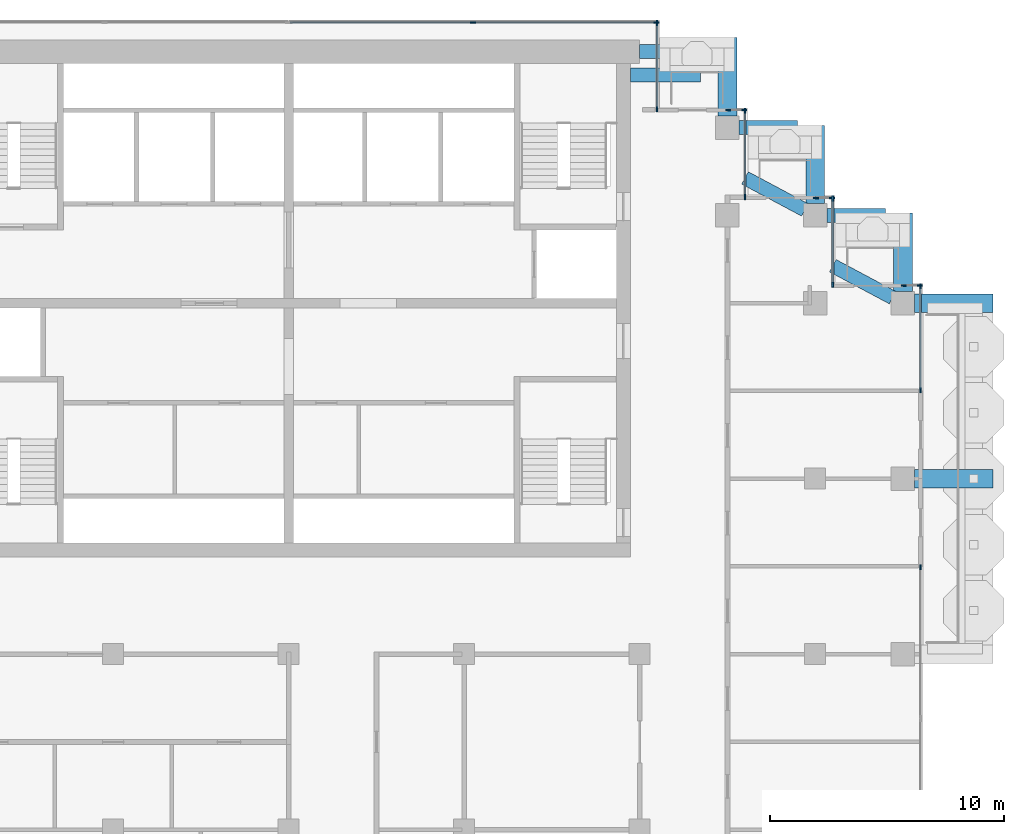
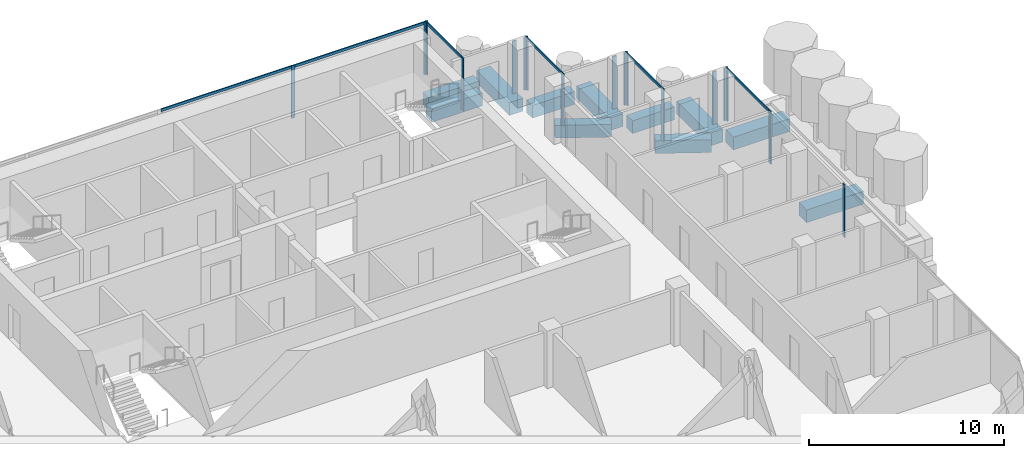
# One storey, part 6 of 19: 23 members, 11 beams, 9 elements without a shape of their own.
"""IFC4 building model written with IfcOpenShell, lengths in metres."""

from ifc_helpers import new_model, si_unit, direction, frame, origin, origin_2d, place, context, subcontext, project, spatial, rectangle, extrude, material, material_profile, profile_set, type_object, element, aggregate, save


model = new_model("IFC4")

# Units and contexts
model_context = context("Model", 3, precision=1e-05, world=origin(), true_north=direction((0.0, 1.0)))
body_context = subcontext(model_context, "Body", "Model", "MODEL_VIEW")
ifc_project = project(units=[si_unit("LENGTHUNIT", "METRE"), si_unit("AREAUNIT", "SQUARE_METRE"), si_unit("VOLUMEUNIT", "CUBIC_METRE"), si_unit("PLANEANGLEUNIT", "RADIAN"), si_unit("MASSUNIT", "GRAM", prefix="KILO")], contexts=[model_context])

# Site, building, storey
site_placement = place(None, origin())
site = spatial("IfcSite", under=ifc_project, at=site_placement, CompositionType="ELEMENT")
building_placement = place(site_placement, origin())
building = spatial("IfcBuilding", under=site, at=building_placement, Name="Pilkhan Gate Tower", CompositionType="ELEMENT")
storey_placement = place(building_placement, frame((0.0, 0.0, 224.699951171875)))
storey = spatial("IfcBuildingStorey", under=building, at=storey_placement, Name="L58", CompositionType="ELEMENT", Elevation=224.699951171875)

# Beams
ifc_material_1 = material(Name="Concrete C50/60", Category="concrete")
ifc_material_profile_1 = material_profile(ifc_material_1, rectangle(XDim=0.60009765625, YDim=0.800048828125, at=origin_2d()), Name="RC 600x800")
ifc_profile_set_1 = profile_set([ifc_material_profile_1], Name="Concrete C50/60")
beam_type_1 = type_object("IfcBeamType", Name="Cantilever beam CB1 RC 600x800 C50/60", PredefinedType="BEAM", material=ifc_profile_set_1)
for number, where, z_axis, x_axis, name in (
    (1, (90.0, 93.25, -0.699951171875), (1.0, 0.0, 0.0), (0.0, 1.0, 0.0), "Balcony beam NE.2 L58"),
    (2, (89.60009765625, 92.25, -0.699951171875), (1.0, 0.0, 0.0), (0.0, 1.0, 0.0), "Balcony beam NE.3 L58"),
):
    element("IfcBeam", number, at=place(storey_placement, frame(where, z_axis=z_axis, x_axis=x_axis)), inside=storey, type_object=beam_type_1, Name=name, PredefinedType="BEAM", context=body_context, shape_type="SweptSolid", body=[
        extrude(rectangle(XDim=0.60009765625, YDim=0.800048828125, at=origin_2d()), origin(), (0.0, 0.0, 1.0), 3.0),
    ])
beam_1_placement = place(storey_placement, frame((94.25, 90.0, -0.699951171875), z_axis=(1.0, 0.0, 0.0), x_axis=(0.0, 1.0, 0.0)))
element("IfcBeam", 3, at=beam_1_placement, inside=storey, type_object=beam_type_1, Name="Balcony beam NE1.2 L58", PredefinedType="BEAM", context=body_context, shape_type="SweptSolid", body=[
    extrude(rectangle(XDim=0.60009765625, YDim=0.800048828125, at=origin_2d()), origin(), (0.0, 0.0, 1.0), 2.5),
])
beam_2_placement = place(storey_placement, frame((97.058837890625, 86.4853515625, -0.699951171875), z_axis=(-0.882348280344, 0.470596974251, 0.0), x_axis=(-0.470596974251, -0.882348280344, 0.0)))
element("IfcBeam", 4, at=beam_2_placement, inside=storey, type_object=beam_type_1, Name="Balcony beam NE1.3 L58", PredefinedType="BEAM", context=body_context, shape_type="SweptSolid", body=[
    extrude(rectangle(XDim=0.60009765625, YDim=0.800048828125, at=origin_2d()), origin(), (0.0, 0.0, 1.0), 2.900146484375),
])
beam_3_placement = place(storey_placement, frame((98.0, 86.25, -0.699951171875), z_axis=(1.0, 0.0, 0.0), x_axis=(0.0, 1.0, 0.0)))
element("IfcBeam", 5, at=beam_3_placement, inside=storey, type_object=beam_type_1, Name="Balcony beam NE2.2 L58", PredefinedType="BEAM", context=body_context, shape_type="SweptSolid", body=[
    extrude(rectangle(XDim=0.60009765625, YDim=0.800048828125, at=origin_2d()), origin(), (0.0, 0.0, 1.0), 2.5),
])
beam_4_placement = place(storey_placement, frame((100.808837890625, 82.7353515625, -0.699951171875), z_axis=(-0.882348280344, 0.470596974251, 0.0), x_axis=(-0.470596974251, -0.882348280344, 0.0)))
element("IfcBeam", 6, at=beam_4_placement, inside=storey, type_object=beam_type_1, Name="Balcony beam NE2.3 L58", PredefinedType="BEAM", context=body_context, shape_type="SweptSolid", body=[
    extrude(rectangle(XDim=0.60009765625, YDim=0.800048828125, at=origin_2d()), origin(), (0.0, 0.0, 1.0), 2.900146484375),
])
ifc_material_profile_2 = material_profile(ifc_material_1, rectangle(XDim=0.800048828125, YDim=0.800048828125, at=origin_2d()), Name="RC 800x800")
ifc_profile_set_2 = profile_set([ifc_material_profile_2], Name="Concrete C50/60")
beam_type_2 = type_object("IfcBeamType", Name="Cantilever beam CB2 RC 800x800 C50/60", PredefinedType="BEAM", material=ifc_profile_set_2)
for number, where, z_axis, x_axis, name in (
    (7, (101.75, 75.0, -0.699951171875), (1.0, 0.0, 0.0), (0.0, 1.0, 0.0), "Balcony beam E.2 L58"),
    (8, (101.75, 82.5, -0.699951171875), (1.0, 0.0, 0.0), (0.0, 1.0, 0.0), "Balcony beam E.3 L58"),
    (9, (93.75, 90.5, -0.699951171875), (0.0, 1.0, 0.0), (-1.0, 0.0, 0.0), "Balcony beam NE.1 L58"),
    (10, (97.5, 86.75, -0.699951171875), (0.0, 1.0, 0.0), (-1.0, 0.0, 0.0), "Balcony beam NE1.1 L58"),
    (11, (101.25, 83.0, -0.699951171875), (0.0, 1.0, 0.0), (-1.0, 0.0, 0.0), "Balcony beam NE2.1 L58"),
):
    element("IfcBeam", number, at=place(storey_placement, frame(where, z_axis=z_axis, x_axis=x_axis)), inside=storey, type_object=beam_type_2, Name=name, PredefinedType="BEAM", context=body_context, shape_type="SweptSolid", body=[
        extrude(rectangle(XDim=0.800048828125, YDim=0.800048828125, at=origin_2d()), origin(), (0.0, 0.0, 1.0), 3.35009765625),
    ])

# Curtain wall, member
ifc_material_2 = material(Name="Pale anodised aluminium, clear low-iron double glazing", Category="aluminium")
curtain_wall_type = type_object("IfcCurtainWallType", Name="Office unitised curtain wall CW-O2", PredefinedType="USERDEFINED", material=ifc_material_2)
curtain_wall_1_placement = place(storey_placement, origin())
curtain_wall_1 = element("IfcCurtainWall", 12, at=curtain_wall_1_placement, inside=storey, type_object=curtain_wall_type, Name="Office unitised curtain wall CW-O2 L58 E", ObjectType="UNITISED CURTAIN WALL", PredefinedType="USERDEFINED")
ifc_material_3 = material(Name="Pale anodised aluminium", Category="aluminium")
ifc_material_profile_3 = material_profile(ifc_material_3, rectangle(XDim=0.06494140625, YDim=0.22509765625, at=origin_2d()), Name="Mullion 225x65")
ifc_profile_set_3 = profile_set([ifc_material_profile_3], Name="Pale anodised aluminium")
member_type_1 = type_object("IfcMemberType", Name="Mullion CW-O2 225x65", PredefinedType="MULLION", material=ifc_profile_set_3)
member_1_placement = place(storey_placement, frame((102.0, 71.217529296875, 0.0), z_axis=(0.0, 0.0, 1.0), x_axis=(-1.0, 0.0, 0.0)))
member_1 = element("IfcMember", 13, at=member_1_placement, type_object=member_type_1, Name="CW-O2 mullion 2", PredefinedType="MULLION", context=body_context, shape_type="SweptSolid", body=[
    extrude(rectangle(XDim=0.06494140625, YDim=0.22509765625, at=origin_2d()), origin(), (0.0, 0.0, 1.0), 3.300048828125),
])
aggregate(curtain_wall_1, [member_1])

# Curtain wall, members
curtain_wall_2_placement = place(storey_placement, origin())
curtain_wall_2 = element("IfcCurtainWall", 14, at=curtain_wall_2_placement, inside=storey, type_object=curtain_wall_type, Name="Office unitised curtain wall CW-O2 L58 E", ObjectType="UNITISED CURTAIN WALL", PredefinedType="USERDEFINED")
member_2_placement = place(storey_placement, frame((102.0, 78.782470703125, 0.0), z_axis=(0.0, 0.0, 1.0), x_axis=(-1.0, 0.0, 0.0)))
member_2 = element("IfcMember", 15, at=member_2_placement, type_object=member_type_1, Name="CW-O2 mullion 1", PredefinedType="MULLION", context=body_context, shape_type="SweptSolid", body=[
    extrude(rectangle(XDim=0.06494140625, YDim=0.22509765625, at=origin_2d()), origin(), (0.0, 0.0, 1.0), 3.300048828125),
])
member_3_placement = place(storey_placement, frame((102.0, 83.217529296875, 0.0), z_axis=(0.0, 0.0, 1.0), x_axis=(-1.0, 0.0, 0.0)))
member_3 = element("IfcMember", 16, at=member_3_placement, type_object=member_type_1, Name="CW-O2 mullion 2", PredefinedType="MULLION", context=body_context, shape_type="SweptSolid", body=[
    extrude(rectangle(XDim=0.06494140625, YDim=0.22509765625, at=origin_2d()), origin(), (0.0, 0.0, 1.0), 3.300048828125),
])

curtain_wall_3_placement = place(storey_placement, origin())
curtain_wall_3 = element("IfcCurtainWall", 17, at=curtain_wall_3_placement, inside=storey, type_object=curtain_wall_type, Name="Office unitised curtain wall CW-O2 L58 N", ObjectType="UNITISED CURTAIN WALL", PredefinedType="USERDEFINED")
member_4_placement = place(storey_placement, frame((101.282470703125, 83.25, 0.0), z_axis=(0.0, 0.0, 1.0), x_axis=(0.0, 1.0, 0.0)))
member_4 = element("IfcMember", 18, at=member_4_placement, type_object=member_type_1, Name="CW-O2 mullion 1", PredefinedType="MULLION", context=body_context, shape_type="SweptSolid", body=[
    extrude(rectangle(XDim=0.06494140625, YDim=0.22509765625, at=origin_2d()), origin(), (0.0, 0.0, 1.0), 3.300048828125),
])
member_5_placement = place(storey_placement, frame((101.967529296875, 83.25, 0.0), z_axis=(0.0, 0.0, 1.0), x_axis=(0.0, 1.0, 0.0)))
member_5 = element("IfcMember", 19, at=member_5_placement, type_object=member_type_1, Name="CW-O2 mullion 2", PredefinedType="MULLION", context=body_context, shape_type="SweptSolid", body=[
    extrude(rectangle(XDim=0.06494140625, YDim=0.22509765625, at=origin_2d()), origin(), (0.0, 0.0, 1.0), 3.300048828125),
])
aggregate(curtain_wall_3, [member_4, member_5])

curtain_wall_4_placement = place(storey_placement, origin())
curtain_wall_4 = element("IfcCurtainWall", 20, at=curtain_wall_4_placement, inside=storey, type_object=curtain_wall_type, Name="Office unitised curtain wall CW-O2 L58 E", ObjectType="UNITISED CURTAIN WALL", PredefinedType="USERDEFINED")
member_6_placement = place(storey_placement, frame((98.25, 83.282470703125, 0.0), z_axis=(0.0, 0.0, 1.0), x_axis=(-1.0, 0.0, 0.0)))
member_6 = element("IfcMember", 21, at=member_6_placement, type_object=member_type_1, Name="CW-O2 mullion 1", PredefinedType="MULLION", context=body_context, shape_type="SweptSolid", body=[
    extrude(rectangle(XDim=0.06494140625, YDim=0.22509765625, at=origin_2d()), origin(), (0.0, 0.0, 1.0), 3.300048828125),
])
member_7_placement = place(storey_placement, frame((98.25, 86.967529296875, 0.0), z_axis=(0.0, 0.0, 1.0), x_axis=(-1.0, 0.0, 0.0)))
member_7 = element("IfcMember", 22, at=member_7_placement, type_object=member_type_1, Name="CW-O2 mullion 2", PredefinedType="MULLION", context=body_context, shape_type="SweptSolid", body=[
    extrude(rectangle(XDim=0.06494140625, YDim=0.22509765625, at=origin_2d()), origin(), (0.0, 0.0, 1.0), 3.300048828125),
])

curtain_wall_5_placement = place(storey_placement, origin())
curtain_wall_5 = element("IfcCurtainWall", 23, at=curtain_wall_5_placement, inside=storey, type_object=curtain_wall_type, Name="Office unitised curtain wall CW-O2 L58 N", ObjectType="UNITISED CURTAIN WALL", PredefinedType="USERDEFINED")
member_8_placement = place(storey_placement, frame((97.532470703125, 87.0, 0.0), z_axis=(0.0, 0.0, 1.0), x_axis=(0.0, 1.0, 0.0)))
member_8 = element("IfcMember", 24, at=member_8_placement, type_object=member_type_1, Name="CW-O2 mullion 1", PredefinedType="MULLION", context=body_context, shape_type="SweptSolid", body=[
    extrude(rectangle(XDim=0.06494140625, YDim=0.22509765625, at=origin_2d()), origin(), (0.0, 0.0, 1.0), 3.300048828125),
])
member_9_placement = place(storey_placement, frame((98.217529296875, 87.0, 0.0), z_axis=(0.0, 0.0, 1.0), x_axis=(0.0, 1.0, 0.0)))
member_9 = element("IfcMember", 25, at=member_9_placement, type_object=member_type_1, Name="CW-O2 mullion 2", PredefinedType="MULLION", context=body_context, shape_type="SweptSolid", body=[
    extrude(rectangle(XDim=0.06494140625, YDim=0.22509765625, at=origin_2d()), origin(), (0.0, 0.0, 1.0), 3.300048828125),
])
aggregate(curtain_wall_5, [member_8, member_9])

curtain_wall_6_placement = place(storey_placement, origin())
curtain_wall_6 = element("IfcCurtainWall", 26, at=curtain_wall_6_placement, inside=storey, type_object=curtain_wall_type, Name="Office unitised curtain wall CW-O2 L58 E", ObjectType="UNITISED CURTAIN WALL", PredefinedType="USERDEFINED")
member_10_placement = place(storey_placement, frame((94.5, 87.032470703125, 0.0), z_axis=(0.0, 0.0, 1.0), x_axis=(-1.0, 0.0, 0.0)))
member_10 = element("IfcMember", 27, at=member_10_placement, type_object=member_type_1, Name="CW-O2 mullion 1", PredefinedType="MULLION", context=body_context, shape_type="SweptSolid", body=[
    extrude(rectangle(XDim=0.06494140625, YDim=0.22509765625, at=origin_2d()), origin(), (0.0, 0.0, 1.0), 3.300048828125),
])
member_11_placement = place(storey_placement, frame((94.5, 90.717529296875, 0.0), z_axis=(0.0, 0.0, 1.0), x_axis=(-1.0, 0.0, 0.0)))
member_11 = element("IfcMember", 28, at=member_11_placement, type_object=member_type_1, Name="CW-O2 mullion 2", PredefinedType="MULLION", context=body_context, shape_type="SweptSolid", body=[
    extrude(rectangle(XDim=0.06494140625, YDim=0.22509765625, at=origin_2d()), origin(), (0.0, 0.0, 1.0), 3.300048828125),
])

curtain_wall_7_placement = place(storey_placement, origin())
curtain_wall_7 = element("IfcCurtainWall", 29, at=curtain_wall_7_placement, inside=storey, type_object=curtain_wall_type, Name="Office unitised curtain wall CW-O2 L58 N", ObjectType="UNITISED CURTAIN WALL", PredefinedType="USERDEFINED")
member_12_placement = place(storey_placement, frame((93.782470703125, 90.75, 0.0), z_axis=(0.0, 0.0, 1.0), x_axis=(0.0, 1.0, 0.0)))
member_12 = element("IfcMember", 30, at=member_12_placement, type_object=member_type_1, Name="CW-O2 mullion 1", PredefinedType="MULLION", context=body_context, shape_type="SweptSolid", body=[
    extrude(rectangle(XDim=0.06494140625, YDim=0.22509765625, at=origin_2d()), origin(), (0.0, 0.0, 1.0), 3.300048828125),
])
member_13_placement = place(storey_placement, frame((94.467529296875, 90.75, 0.0), z_axis=(0.0, 0.0, 1.0), x_axis=(0.0, 1.0, 0.0)))
member_13 = element("IfcMember", 31, at=member_13_placement, type_object=member_type_1, Name="CW-O2 mullion 2", PredefinedType="MULLION", context=body_context, shape_type="SweptSolid", body=[
    extrude(rectangle(XDim=0.06494140625, YDim=0.22509765625, at=origin_2d()), origin(), (0.0, 0.0, 1.0), 3.300048828125),
])
aggregate(curtain_wall_7, [member_12, member_13])

curtain_wall_8_placement = place(storey_placement, origin())
curtain_wall_8 = element("IfcCurtainWall", 32, at=curtain_wall_8_placement, inside=storey, type_object=curtain_wall_type, Name="Office unitised curtain wall CW-O2 L58 E", ObjectType="UNITISED CURTAIN WALL", PredefinedType="USERDEFINED")
member_14_placement = place(storey_placement, frame((90.75, 90.782470703125, 0.0), z_axis=(0.0, 0.0, 1.0), x_axis=(-1.0, 0.0, 0.0)))
member_14 = element("IfcMember", 33, at=member_14_placement, type_object=member_type_1, Name="CW-O2 mullion 1", PredefinedType="MULLION", context=body_context, shape_type="SweptSolid", body=[
    extrude(rectangle(XDim=0.06494140625, YDim=0.22509765625, at=origin_2d()), origin(), (0.0, 0.0, 1.0), 3.300048828125),
])
member_15_placement = place(storey_placement, frame((90.75, 94.467529296875, 0.0), z_axis=(0.0, 0.0, 1.0), x_axis=(-1.0, 0.0, 0.0)))
member_15 = element("IfcMember", 34, at=member_15_placement, type_object=member_type_1, Name="CW-O2 mullion 2", PredefinedType="MULLION", context=body_context, shape_type="SweptSolid", body=[
    extrude(rectangle(XDim=0.06494140625, YDim=0.22509765625, at=origin_2d()), origin(), (0.0, 0.0, 1.0), 3.300048828125),
])

curtain_wall_9_placement = place(storey_placement, origin())
curtain_wall_9 = element("IfcCurtainWall", 35, at=curtain_wall_9_placement, inside=storey, type_object=curtain_wall_type, Name="Office unitised curtain wall CW-O2 L58 N", ObjectType="UNITISED CURTAIN WALL", PredefinedType="USERDEFINED")
member_16_placement = place(storey_placement, frame((82.875, 94.5, 0.0), z_axis=(0.0, 0.0, 1.0), x_axis=(0.0, 1.0, 0.0)))
member_16 = element("IfcMember", 36, at=member_16_placement, type_object=member_type_1, Name="CW-O2 mullion 2", PredefinedType="MULLION", context=body_context, shape_type="SweptSolid", body=[
    extrude(rectangle(XDim=0.06494140625, YDim=0.22509765625, at=origin_2d()), origin(), (0.0, 0.0, 1.0), 3.300048828125),
])
member_17_placement = place(storey_placement, frame((90.717529296875, 94.5, 0.0), z_axis=(0.0, 0.0, 1.0), x_axis=(0.0, 1.0, 0.0)))
member_17 = element("IfcMember", 37, at=member_17_placement, type_object=member_type_1, Name="CW-O2 mullion 3", PredefinedType="MULLION", context=body_context, shape_type="SweptSolid", body=[
    extrude(rectangle(XDim=0.06494140625, YDim=0.22509765625, at=origin_2d()), origin(), (0.0, 0.0, 1.0), 3.300048828125),
])

# Member
ifc_material_profile_4 = material_profile(ifc_material_3, rectangle(XDim=0.06494140625, YDim=0.1650390625, at=origin_2d()), Name="Transom 165x65")
ifc_profile_set_4 = profile_set([ifc_material_profile_4], Name="Pale anodised aluminium")
member_type_2 = type_object("IfcMemberType", Name="Transom CW-O2 165x65", PredefinedType="USERDEFINED", material=ifc_profile_set_4)
member_18_placement = place(storey_placement, frame((102.0, 78.81494140625, 3.217529296875), z_axis=(0.0, 1.0, 0.0), x_axis=(-1.0, 0.0, 0.0)))
member_18 = element("IfcMember", 38, at=member_18_placement, type_object=member_type_2, Name="CW-O2 transom 1", ObjectType="TRANSOM", PredefinedType="USERDEFINED", context=body_context, shape_type="SweptSolid", body=[
    extrude(rectangle(XDim=0.06494140625, YDim=0.1650390625, at=origin_2d()), origin(), (0.0, 0.0, 1.0), 4.3701171875),
])

aggregate(curtain_wall_2, [member_2, member_3, member_18])

member_19_placement = place(storey_placement, frame((98.25, 83.31494140625, 3.217529296875), z_axis=(0.0, 1.0, 0.0), x_axis=(-1.0, 0.0, 0.0)))
member_19 = element("IfcMember", 39, at=member_19_placement, type_object=member_type_2, Name="CW-O2 transom 1", ObjectType="TRANSOM", PredefinedType="USERDEFINED", context=body_context, shape_type="SweptSolid", body=[
    extrude(rectangle(XDim=0.06494140625, YDim=0.1650390625, at=origin_2d()), origin(), (0.0, 0.0, 1.0), 3.6201171875),
])

aggregate(curtain_wall_4, [member_6, member_7, member_19])

member_20_placement = place(storey_placement, frame((94.5, 87.06494140625, 3.217529296875), z_axis=(0.0, 1.0, 0.0), x_axis=(-1.0, 0.0, 0.0)))
member_20 = element("IfcMember", 40, at=member_20_placement, type_object=member_type_2, Name="CW-O2 transom 1", ObjectType="TRANSOM", PredefinedType="USERDEFINED", context=body_context, shape_type="SweptSolid", body=[
    extrude(rectangle(XDim=0.06494140625, YDim=0.1650390625, at=origin_2d()), origin(), (0.0, 0.0, 1.0), 3.6201171875),
])

aggregate(curtain_wall_6, [member_10, member_11, member_20])

member_21_placement = place(storey_placement, frame((90.75, 90.81494140625, 3.217529296875), z_axis=(0.0, 1.0, 0.0), x_axis=(-1.0, 0.0, 0.0)))
member_21 = element("IfcMember", 41, at=member_21_placement, type_object=member_type_2, Name="CW-O2 transom 1", ObjectType="TRANSOM", PredefinedType="USERDEFINED", context=body_context, shape_type="SweptSolid", body=[
    extrude(rectangle(XDim=0.06494140625, YDim=0.1650390625, at=origin_2d()), origin(), (0.0, 0.0, 1.0), 3.6201171875),
])

aggregate(curtain_wall_8, [member_14, member_15, member_21])

member_22_placement = place(storey_placement, frame((75.06494140625, 94.5, 3.217529296875), z_axis=(1.0, 0.0, 0.0), x_axis=(0.0, 1.0, 0.0)))
member_22 = element("IfcMember", 42, at=member_22_placement, type_object=member_type_2, Name="CW-O2 transom 1", ObjectType="TRANSOM", PredefinedType="USERDEFINED", context=body_context, shape_type="SweptSolid", body=[
    extrude(rectangle(XDim=0.06494140625, YDim=0.1650390625, at=origin_2d()), origin(), (0.0, 0.0, 1.0), 7.777587890625),
])

member_23_placement = place(storey_placement, frame((82.907470703125, 94.5, 3.217529296875), z_axis=(1.0, 0.0, 0.0), x_axis=(0.0, 1.0, 0.0)))
member_23 = element("IfcMember", 43, at=member_23_placement, type_object=member_type_2, Name="CW-O2 transom 2", ObjectType="TRANSOM", PredefinedType="USERDEFINED", context=body_context, shape_type="SweptSolid", body=[
    extrude(rectangle(XDim=0.06494140625, YDim=0.1650390625, at=origin_2d()), origin(), (0.0, 0.0, 1.0), 7.777587890625),
])

aggregate(curtain_wall_9, [member_16, member_17, member_22, member_23])

save(model, "model.ifc")
